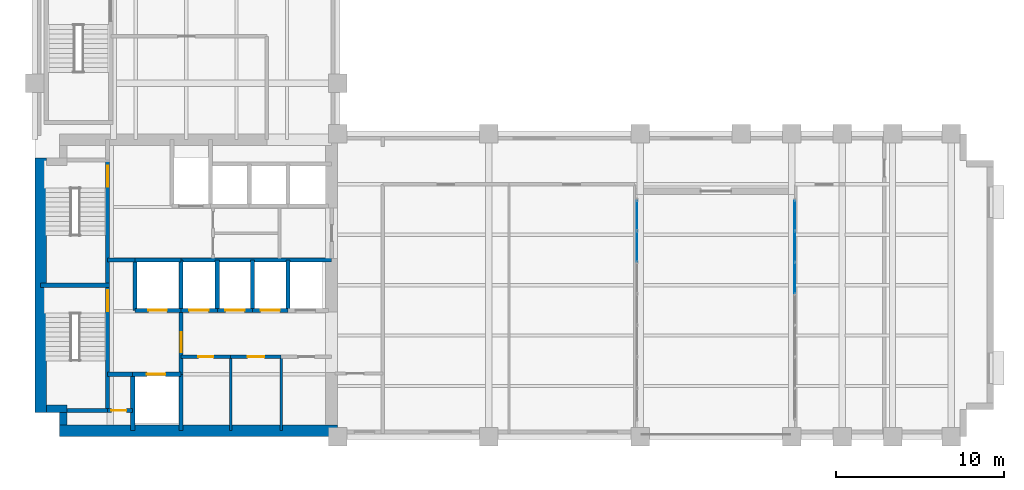
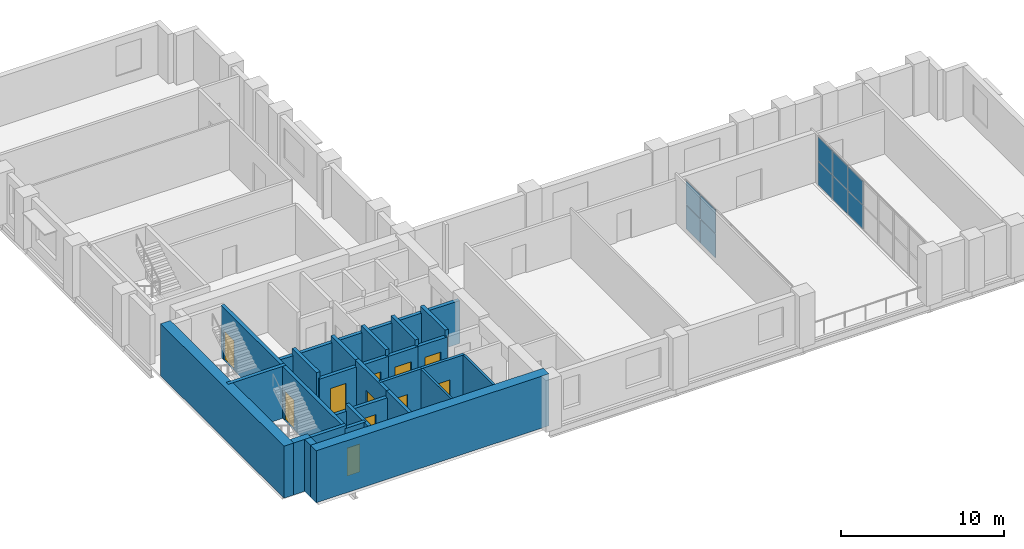
# One storey, part 7 of 12: 30 walls, 11 doors, 10 plates, 11 openings, 2 elements without a shape of their own.
"""IFC4 building model written with IfcOpenShell, lengths in metres."""

from ifc_helpers import new_model, si_unit, direction, frame, frame_2d, origin, origin_2d, place, context, subcontext, project, spatial, rectangle, extrude, material, layer, layer_set, type_object, element, fill, aggregate, save


model = new_model("IFC4")

# Units and contexts
model_context = context("Model", 3, precision=1e-05, world=origin(), true_north=direction((0.0, 1.0)))
body_context = subcontext(model_context, "Body", "Model", "MODEL_VIEW")
ifc_project = project(units=[si_unit("LENGTHUNIT", "METRE"), si_unit("AREAUNIT", "SQUARE_METRE"), si_unit("VOLUMEUNIT", "CUBIC_METRE"), si_unit("PLANEANGLEUNIT", "RADIAN"), si_unit("MASSUNIT", "GRAM", prefix="KILO")], contexts=[model_context])

# Site, building, storey
site_placement = place(None, origin())
site = spatial("IfcSite", under=ifc_project, at=site_placement, CompositionType="ELEMENT")
building_placement = place(site_placement, origin())
building = spatial("IfcBuilding", under=site, at=building_placement, Name="Mawjdan Bourse Tower", CompositionType="ELEMENT")
storey_placement = place(building_placement, frame((0.0, 0.0, 120.60009765625)))
storey = spatial("IfcBuildingStorey", under=building, at=storey_placement, Name="L28", CompositionType="ELEMENT", Elevation=120.60009765625)

# Curtain wall, plates
ifc_material_1 = material(Name="Thermally Broken Aluminium and Solar Glass", Category="aluminium")
ifc_layer_1 = layer(ifc_material_1, 0.219970703125)
ifc_layer_set_1 = layer_set([ifc_layer_1], Name="Thermally Broken Aluminium and Solar Glass")
curtain_wall_type = type_object("IfcCurtainWallType", Name="CW-POR", PredefinedType="USERDEFINED", material=ifc_layer_set_1)
curtain_wall_1_placement = place(storey_placement, origin())
curtain_wall_1 = element("IfcCurtainWall", 1, at=curtain_wall_1_placement, inside=storey, type_object=curtain_wall_type, Name="L28 East Void Portal Glazed Cheek 1", ObjectType="VOID PORTAL CURTAIN WALL", PredefinedType="USERDEFINED")
ifc_material_2 = material(Name="Wind-Rated Portal Clear Glass", Category="glass")
ifc_layer_2 = layer(ifc_material_2, 0.0400390625)
ifc_layer_set_2 = layer_set([ifc_layer_2], Name="Wind-Rated Portal Clear Glass")
plate_type = type_object("IfcPlateType", Name="PNL-CW-POR", PredefinedType="CURTAIN_PANEL", material=ifc_layer_set_2)
plate_1_placement = place(storey_placement, frame((41.81005859375, 14.29296875, 0.054931640625), z_axis=(0.0, 0.0, 1.0), x_axis=(0.0, 1.0, 0.0)))
plate_1 = element("IfcPlate", 2, at=plate_1_placement, type_object=plate_type, Name="CW-POR-L28-POR-E1 panel 6.1", PredefinedType="CURTAIN_PANEL", context=body_context, shape_type="SweptSolid", body=[
    extrude(rectangle(XDim=1.801513671875, YDim=0.0400390625, at=origin_2d()), origin(), (0.0, 0.0, 1.0), 1.767578125),
])
plate_2_placement = place(storey_placement, frame((41.81005859375, 14.29296875, 1.87744140625), z_axis=(0.0, 0.0, 1.0), x_axis=(0.0, 1.0, 0.0)))
plate_2 = element("IfcPlate", 3, at=plate_2_placement, type_object=plate_type, Name="CW-POR-L28-POR-E1 panel 6.2", PredefinedType="CURTAIN_PANEL", context=body_context, shape_type="SweptSolid", body=[
    extrude(rectangle(XDim=1.801513671875, YDim=0.0400390625, at=origin_2d()), origin(), (0.0, 0.0, 1.0), 1.767578125),
])
plate_3_placement = place(storey_placement, frame((41.81005859375, 16.146728515625, 0.054931640625), z_axis=(0.0, 0.0, 1.0), x_axis=(0.0, 1.0, 0.0)))
plate_3 = element("IfcPlate", 4, at=plate_3_placement, type_object=plate_type, Name="CW-POR-L28-POR-E1 panel 7.1", PredefinedType="CURTAIN_PANEL", context=body_context, shape_type="SweptSolid", body=[
    extrude(rectangle(XDim=1.766357421875, YDim=0.0400390625, at=origin_2d()), origin(), (0.0, 0.0, 1.0), 1.767578125),
])
plate_4_placement = place(storey_placement, frame((41.81005859375, 16.146728515625, 1.87744140625), z_axis=(0.0, 0.0, 1.0), x_axis=(0.0, 1.0, 0.0)))
plate_4 = element("IfcPlate", 5, at=plate_4_placement, type_object=plate_type, Name="CW-POR-L28-POR-E1 panel 7.2", PredefinedType="CURTAIN_PANEL", context=body_context, shape_type="SweptSolid", body=[
    extrude(rectangle(XDim=1.766357421875, YDim=0.0400390625, at=origin_2d()), origin(), (0.0, 0.0, 1.0), 1.767578125),
])
aggregate(curtain_wall_1, [plate_1, plate_2, plate_3, plate_4])

curtain_wall_2_placement = place(storey_placement, origin())
curtain_wall_2 = element("IfcCurtainWall", 6, at=curtain_wall_2_placement, inside=storey, type_object=curtain_wall_type, Name="L28 East Void Portal Glazed Cheek 3", ObjectType="VOID PORTAL CURTAIN WALL", PredefinedType="USERDEFINED")
plate_5_placement = place(storey_placement, frame((51.18994140625, 16.146728515625, 0.054931640625), z_axis=(0.0, 0.0, 1.0), x_axis=(0.0, -1.0, 0.0)))
plate_5 = element("IfcPlate", 7, at=plate_5_placement, type_object=plate_type, Name="CW-POR-L28-POR-E3 panel 1.1", PredefinedType="CURTAIN_PANEL", context=body_context, shape_type="SweptSolid", body=[
    extrude(rectangle(XDim=1.766357421875, YDim=0.0400390625, at=origin_2d()), origin(), (0.0, 0.0, 1.0), 1.767578125),
])
plate_6_placement = place(storey_placement, frame((51.18994140625, 16.146728515625, 1.87744140625), z_axis=(0.0, 0.0, 1.0), x_axis=(0.0, -1.0, 0.0)))
plate_6 = element("IfcPlate", 8, at=plate_6_placement, type_object=plate_type, Name="CW-POR-L28-POR-E3 panel 1.2", PredefinedType="CURTAIN_PANEL", context=body_context, shape_type="SweptSolid", body=[
    extrude(rectangle(XDim=1.766357421875, YDim=0.0400390625, at=origin_2d()), origin(), (0.0, 0.0, 1.0), 1.767578125),
])
plate_7_placement = place(storey_placement, frame((51.18994140625, 14.29296875, 0.054931640625), z_axis=(0.0, 0.0, 1.0), x_axis=(0.0, -1.0, 0.0)))
plate_7 = element("IfcPlate", 9, at=plate_7_placement, type_object=plate_type, Name="CW-POR-L28-POR-E3 panel 2.1", PredefinedType="CURTAIN_PANEL", context=body_context, shape_type="SweptSolid", body=[
    extrude(rectangle(XDim=1.801513671875, YDim=0.0400390625, at=origin_2d()), origin(), (0.0, 0.0, 1.0), 1.767578125),
])
plate_8_placement = place(storey_placement, frame((51.18994140625, 14.29296875, 1.87744140625), z_axis=(0.0, 0.0, 1.0), x_axis=(0.0, -1.0, 0.0)))
plate_8 = element("IfcPlate", 10, at=plate_8_placement, type_object=plate_type, Name="CW-POR-L28-POR-E3 panel 2.2", PredefinedType="CURTAIN_PANEL", context=body_context, shape_type="SweptSolid", body=[
    extrude(rectangle(XDim=1.801513671875, YDim=0.0400390625, at=origin_2d()), origin(), (0.0, 0.0, 1.0), 1.767578125),
])
plate_9_placement = place(storey_placement, frame((51.18994140625, 12.42138671875, 0.054931640625), z_axis=(0.0, 0.0, 1.0), x_axis=(0.0, -1.0, 0.0)))
plate_9 = element("IfcPlate", 11, at=plate_9_placement, type_object=plate_type, Name="CW-POR-L28-POR-E3 panel 3.1", PredefinedType="CURTAIN_PANEL", context=body_context, shape_type="SweptSolid", body=[
    extrude(rectangle(XDim=1.801513671875, YDim=0.0400390625, at=origin_2d()), origin(), (0.0, 0.0, 1.0), 1.767578125),
])
plate_10_placement = place(storey_placement, frame((51.18994140625, 12.42138671875, 1.87744140625), z_axis=(0.0, 0.0, 1.0), x_axis=(0.0, -1.0, 0.0)))
plate_10 = element("IfcPlate", 12, at=plate_10_placement, type_object=plate_type, Name="CW-POR-L28-POR-E3 panel 3.2", PredefinedType="CURTAIN_PANEL", context=body_context, shape_type="SweptSolid", body=[
    extrude(rectangle(XDim=1.801513671875, YDim=0.0400390625, at=origin_2d()), origin(), (0.0, 0.0, 1.0), 1.767578125),
])
aggregate(curtain_wall_2, [plate_5, plate_6, plate_7, plate_8, plate_9, plate_10])

# Wall, opening, door
ifc_material_3 = material(Name="Gypsum Fireboard Assembly")
ifc_layer_3 = layer(ifc_material_3, 0.199951171875)
ifc_layer_set_3 = layer_set([ifc_layer_3], Name="Gypsum Fireboard Assembly")
wall_type_1 = type_object("IfcWallType", Name="WL-CMP-200", PredefinedType="PARTITIONING", material=ifc_layer_set_3)
wall_1_placement = place(storey_placement, frame((14.699951171875, 7.739990234375, 0.0), z_axis=(0.0, 0.0, 1.0), x_axis=(1.0, 0.0, 0.0)))
wall_1 = element("IfcWall", 13, at=wall_1_placement, inside=storey, type_object=wall_type_1, Name="L28 IT & Telemetry Room North Wall", PredefinedType="PARTITIONING", context=body_context, shape_type="SweptSolid", body=[
    extrude(rectangle(XDim=2.949951171875, YDim=0.199951171875, at=frame_2d((1.47509765625, 0.0))), origin(), (0.0, 0.0, 1.0), 3.68994140625),
])
opening_1_placement = place(wall_1_placement, frame((1.02490234375, 0.0, 0.0)))
opening_1 = element("IfcOpeningElement", 14, at=opening_1_placement, cuts=wall_1, Name="Opening D-L28-10", PredefinedType="OPENING", context=body_context, shape_type="SweptSolid", body=[
    extrude(rectangle(XDim=0.89990234375, YDim=2.10009765625, at=frame_2d((0.449951171875, 1.050048828125))), frame((0.0, 0.10986328125, 0.0), z_axis=(0.0, -1.0, 0.0), x_axis=(1.0, 0.0, 0.0)), (0.0, 0.0, 1.0), 0.219970703125),
])
ifc_material_4 = material(Name="Fire-Rated Steel Access Leaf", Category="steel")
door_type_1 = type_object("IfcDoorType", Name="FD-RSR-0900", OperationType="NOTDEFINED", PredefinedType="TRAPDOOR", material=ifc_material_4)
door_1_placement = place(opening_1_placement, origin())
door_1 = element("IfcDoor", 15, at=door_1_placement, inside=storey, type_object=door_type_1, Name="L28 IT & Telemetry Room Door D-L28-10", OperationType="SINGLE_SWING_LEFT", OverallHeight=2.10009765625, OverallWidth=0.89990234375, PredefinedType="TRAPDOOR", context=body_context, shape_type="SweptSolid", body=[
    extrude(rectangle(XDim=0.89990234375, YDim=2.10009765625, at=frame_2d((0.449951171875, 1.050048828125))), frame((0.0, 0.02490234375, 0.0), z_axis=(0.0, -1.0, 0.0), x_axis=(1.0, 0.0, 0.0)), (0.0, 0.0, 1.0), 0.050048828125),
])
fill(opening_1, door_1)

wall_2_placement = place(storey_placement, frame((17.64990234375, 7.739990234375, 0.0), z_axis=(0.0, 0.0, 1.0), x_axis=(1.0, 0.0, 0.0)))
wall_2 = element("IfcWall", 16, at=wall_2_placement, inside=storey, type_object=wall_type_1, Name="L28 Mail & Courier Office North Wall", PredefinedType="PARTITIONING", context=body_context, shape_type="SweptSolid", body=[
    extrude(rectangle(XDim=3.0, YDim=0.199951171875, at=frame_2d((1.5, 0.0))), origin(), (0.0, 0.0, 1.0), 3.68994140625),
])
opening_2_placement = place(wall_2_placement, frame((1.0, 0.0, 0.0)))
opening_2 = element("IfcOpeningElement", 17, at=opening_2_placement, cuts=wall_2, Name="Opening D-L28-11", PredefinedType="OPENING", context=body_context, shape_type="SweptSolid", body=[
    extrude(rectangle(XDim=1.0, YDim=2.14990234375, at=frame_2d((0.5, 1.074951171875))), frame((0.0, 0.10986328125, 0.0), z_axis=(0.0, -1.0, 0.0), x_axis=(1.0, 0.0, 0.0)), (0.0, 0.0, 1.0), 0.219970703125),
])
ifc_material_5 = material(Name="Hardwood Acoustic Leaf", Category="wood")
door_type_2 = type_object("IfcDoorType", Name="DR-OFC-1000", OperationType="NOTDEFINED", PredefinedType="DOOR", material=ifc_material_5)
door_2_placement = place(opening_2_placement, origin())
door_2 = element("IfcDoor", 18, at=door_2_placement, inside=storey, type_object=door_type_2, Name="L28 Mail & Courier Office Door D-L28-11", OperationType="SINGLE_SWING_RIGHT", OverallHeight=2.14990234375, OverallWidth=1.0, PredefinedType="DOOR", context=body_context, shape_type="SweptSolid", body=[
    extrude(rectangle(XDim=1.0, YDim=2.14990234375, at=frame_2d((0.5, 1.074951171875))), frame((0.0, 0.02490234375, 0.0), z_axis=(0.0, -1.0, 0.0), x_axis=(1.0, 0.0, 0.0)), (0.0, 0.0, 1.0), 0.050048828125),
])
fill(opening_2, door_2)

# Walls
ifc_material_6 = material(Name="Concrete C60/75", Category="concrete")
ifc_layer_4 = layer(ifc_material_6, 0.449951171875)
ifc_layer_set_4 = layer_set([ifc_layer_4], Name="Concrete C60/75")
wall_type_2 = type_object("IfcWallType", Name="WL-CORE-450", PredefinedType="SHEAR", material=ifc_layer_set_4)
wall_3_placement = place(storey_placement, frame((6.699951171875, 4.64990234375, 0.0), z_axis=(0.0, 0.0, 1.0), x_axis=(1.0, 0.0, 0.0)))
element("IfcWall", 19, at=wall_3_placement, inside=storey, type_object=wall_type_2, Name="L28 Rear Core Shear Wall SW-X", PredefinedType="SHEAR", context=body_context, shape_type="SweptSolid", body=[
    extrude(rectangle(XDim=1.22509765625, YDim=0.449951171875, at=frame_2d((0.612548828125, 0.0))), origin(), (0.0, 0.0, 1.0), 3.89990234375),
])
wall_4_placement = place(storey_placement, frame((7.699951171875, 3.699951171875, 0.0), z_axis=(0.0, 0.0, 1.0), x_axis=(0.0, 1.0, 0.0)))
element("IfcWall", 20, at=wall_4_placement, inside=storey, type_object=wall_type_2, Name="L28 Rear Core Shear Wall SW-Y", PredefinedType="SHEAR", context=body_context, shape_type="SweptSolid", body=[
    extrude(rectangle(XDim=0.72509765625, YDim=0.449951171875, at=frame_2d((0.362548828125, 0.0))), origin(), (0.0, 0.0, 1.0), 3.89990234375),
])
ifc_material_7 = material(Name="Concrete C70/85", Category="concrete")
ifc_layer_5 = layer(ifc_material_7, 0.699951171875)
ifc_layer_set_5 = layer_set([ifc_layer_5], Name="Concrete C70/85")
wall_type_3 = type_object("IfcWallType", Name="WL-CORE-700", PredefinedType="SHEAR", material=ifc_layer_set_5)
wall_5_placement = place(storey_placement, frame((7.47509765625, 3.35009765625, 0.0), z_axis=(0.0, 0.0, 1.0), x_axis=(1.0, 0.0, 0.0)))
element("IfcWall", 21, at=wall_5_placement, inside=storey, type_object=wall_type_3, Name="L28 Rear Core Shear Wall S", PredefinedType="SHEAR", context=body_context, shape_type="SweptSolid", body=[
    extrude(rectangle(XDim=16.52490234375, YDim=0.699951171875, at=frame_2d((8.262451171875, 0.0))), origin(), (0.0, 0.0, 1.0), 3.89990234375),
])
wall_6_placement = place(storey_placement, frame((6.35009765625, 4.425048828125, 0.0), z_axis=(0.0, 0.0, 1.0), x_axis=(0.0, 1.0, 0.0)))
element("IfcWall", 22, at=wall_6_placement, inside=storey, type_object=wall_type_3, Name="L28 Rear Core Shear Wall W", PredefinedType="SHEAR", context=body_context, shape_type="SweptSolid", body=[
    extrude(rectangle(XDim=15.14990234375, YDim=0.699951171875, at=frame_2d((7.574951171875, 0.0))), origin(), (0.0, 0.0, 1.0), 3.89990234375),
])
ifc_material_8 = material(Name="Gypsum Acoustic Partition")
ifc_layer_6 = layer(ifc_material_8, 0.14990234375)
ifc_layer_set_6 = layer_set([ifc_layer_6], Name="Gypsum Acoustic Partition")
wall_type_4 = type_object("IfcWallType", Name="WL-PRT-150", PredefinedType="PARTITIONING", material=ifc_layer_set_6)
for number, where, z_axis, x_axis, name in (
    (23, (17.64990234375, 3.35009765625, 0.0), (0.0, 0.0, 1.0), (0.0, 1.0, 0.0), "L28 Mail & Courier Office Core Split Wall"),
    (24, (20.64990234375, 3.35009765625, 0.0), (0.0, 0.0, 1.0), (0.0, 1.0, 0.0), "L28 Staff Refreshment Pantry Core Split Wall"),
):
    element("IfcWall", number, at=place(storey_placement, frame(where, z_axis=z_axis, x_axis=x_axis)), inside=storey, type_object=wall_type_4, Name=name, PredefinedType="PARTITIONING", context=body_context, shape_type="SweptSolid", body=[
        extrude(rectangle(XDim=4.389892578125, YDim=0.14990234375, at=frame_2d((2.19482421875, 0.0))), origin(), (0.0, 0.0, 1.0), 3.68994140625),
    ])

# Wall, opening, door
ifc_material_9 = material(Name="Concrete C50/60", Category="concrete")
ifc_layer_7 = layer(ifc_material_9, 0.25)
ifc_layer_set_7 = layer_set([ifc_layer_7], Name="Concrete C50/60")
wall_type_5 = type_object("IfcWallType", Name="WL-SHFT-250", PredefinedType="PARTITIONING", material=ifc_layer_set_7)
wall_7_placement = place(storey_placement, frame((10.330078125, 4.550048828125, 0.0), z_axis=(0.0, 0.0, 1.0), x_axis=(1.0, 0.0, 0.0)))
wall_7 = element("IfcWall", 25, at=wall_7_placement, inside=storey, type_object=wall_type_5, Name="L28 SW Riser North Wall", PredefinedType="PARTITIONING", context=body_context, shape_type="SweptSolid", body=[
    extrude(rectangle(XDim=1.489990234375, YDim=0.25, at=frame_2d((0.7451171875, 0.0))), origin(), (0.0, 0.0, 1.0), 3.68994140625),
])
opening_3_placement = place(wall_7_placement, frame((0.219970703125, 0.0, 0.0)))
opening_3 = element("IfcOpeningElement", 26, at=opening_3_placement, cuts=wall_7, Name="Opening RD-L28-03", PredefinedType="OPENING", context=body_context, shape_type="SweptSolid", body=[
    extrude(rectangle(XDim=0.89990234375, YDim=2.10009765625, at=frame_2d((0.449951171875, 1.050048828125))), frame((0.0, 0.135009765625, 0.0), z_axis=(0.0, -1.0, 0.0), x_axis=(1.0, 0.0, 0.0)), (0.0, 0.0, 1.0), 0.27001953125),
])
door_3_placement = place(opening_3_placement, origin())
door_3 = element("IfcDoor", 27, at=door_3_placement, inside=storey, type_object=door_type_1, Name="L28 Electrical Riser Access Door RD-L28-03", OperationType="SINGLE_SWING_LEFT", OverallHeight=2.10009765625, OverallWidth=0.89990234375, PredefinedType="TRAPDOOR", context=body_context, shape_type="SweptSolid", body=[
    extrude(rectangle(XDim=0.89990234375, YDim=2.10009765625, at=frame_2d((0.449951171875, 1.050048828125))), frame((0.0, 0.02490234375, 0.0), z_axis=(0.0, -1.0, 0.0), x_axis=(1.0, 0.0, 0.0)), (0.0, 0.0, 1.0), 0.050048828125),
])
fill(opening_3, door_3)

# Wall
wall_8_placement = place(storey_placement, frame((11.820068359375, 3.35009765625, 0.0), z_axis=(0.0, 0.0, 1.0), x_axis=(0.0, 1.0, 0.0)))
element("IfcWall", 28, at=wall_8_placement, inside=storey, type_object=wall_type_5, Name="L28 SW Riser & FFL01 West Wall", PredefinedType="PARTITIONING", context=body_context, shape_type="SweptSolid", body=[
    extrude(rectangle(XDim=3.349853515625, YDim=0.25, at=frame_2d((1.6748046875, 0.0))), origin(), (0.0, 0.0, 1.0), 3.68994140625),
])

# Wall, opening, door
wall_9_placement = place(storey_placement, frame((11.820068359375, 6.699951171875, 0.0), z_axis=(0.0, 0.0, 1.0), x_axis=(1.0, 0.0, 0.0)))
wall_9 = element("IfcWall", 29, at=wall_9_placement, inside=storey, type_object=wall_type_5, Name="L28 FFL-01 Front Shaft Wall", PredefinedType="PARTITIONING", context=body_context, shape_type="SweptSolid", body=[
    extrude(rectangle(XDim=2.8798828125, YDim=0.25, at=frame_2d((1.43994140625, 0.0))), origin(), (0.0, 0.0, 1.0), 3.226806640625),
])
opening_4_placement = place(wall_9_placement, frame((0.85009765625, 0.0, 0.0)))
opening_4 = element("IfcOpeningElement", 30, at=opening_4_placement, cuts=wall_9, Name="Opening LD-L28-05", PredefinedType="OPENING", context=body_context, shape_type="SweptSolid", body=[
    extrude(rectangle(XDim=1.10009765625, YDim=2.25, at=frame_2d((0.550048828125, 1.125))), frame((0.0, 0.135009765625, 0.0), z_axis=(0.0, -1.0, 0.0), x_axis=(1.0, 0.0, 0.0)), (0.0, 0.0, 1.0), 0.27001953125),
])
ifc_material_10 = material(Name="Brushed Stainless Steel", Category="steel")
door_type_3 = type_object("IfcDoorType", Name="LD-FFL-1100", OperationType="DOUBLE_DOOR_SLIDING", PredefinedType="DOOR", material=ifc_material_10)
door_4_placement = place(opening_4_placement, origin())
door_4 = element("IfcDoor", 31, at=door_4_placement, inside=storey, type_object=door_type_3, Name="L28 Firefighting Lift FFL-01 Landing Door LD-L28-05", OperationType="DOUBLE_DOOR_SLIDING", OverallHeight=2.25, OverallWidth=1.10009765625, PredefinedType="DOOR", context=body_context, shape_type="SweptSolid", body=[
    extrude(rectangle(XDim=1.10009765625, YDim=2.25, at=frame_2d((0.550048828125, 1.125))), frame((0.0, 0.02490234375, 0.0), z_axis=(0.0, -1.0, 0.0), x_axis=(1.0, 0.0, 0.0)), (0.0, 0.0, 1.0), 0.050048828125),
])
fill(opening_4, door_4)

# Wall
wall_10_placement = place(storey_placement, frame((14.699951171875, 3.35009765625, 0.0), z_axis=(0.0, 0.0, 1.0), x_axis=(0.0, 1.0, 0.0)))
element("IfcWall", 32, at=wall_10_placement, inside=storey, type_object=wall_type_5, Name="L28 FFL-01 East Shaft Wall", PredefinedType="PARTITIONING", context=body_context, shape_type="SweptSolid", body=[
    extrude(rectangle(XDim=3.349853515625, YDim=0.25, at=frame_2d((1.6748046875, 0.0))), origin(), (0.0, 0.0, 1.0), 3.68994140625),
])

# Wall, opening, door
wall_11_placement = place(storey_placement, frame((11.949951171875, 10.5, 0.0), z_axis=(0.0, 0.0, 1.0), x_axis=(1.0, 0.0, 0.0)))
wall_11 = element("IfcWall", 33, at=wall_11_placement, inside=storey, type_object=wall_type_5, Name="L28 FFL-02 Front Shaft Wall", PredefinedType="PARTITIONING", context=body_context, shape_type="SweptSolid", body=[
    extrude(rectangle(XDim=2.75, YDim=0.25, at=frame_2d((1.375, 0.0))), origin(), (0.0, 0.0, 1.0), 3.226806640625),
])
opening_5_placement = place(wall_11_placement, frame((0.800048828125, 0.0, 0.0)))
opening_5 = element("IfcOpeningElement", 34, at=opening_5_placement, cuts=wall_11, Name="Opening LD-L28-06", PredefinedType="OPENING", context=body_context, shape_type="SweptSolid", body=[
    extrude(rectangle(XDim=1.10009765625, YDim=2.25, at=frame_2d((0.550048828125, 1.125))), frame((0.0, 0.135009765625, 0.0), z_axis=(0.0, -1.0, 0.0), x_axis=(1.0, 0.0, 0.0)), (0.0, 0.0, 1.0), 0.27001953125),
])
door_5_placement = place(opening_5_placement, origin())
door_5 = element("IfcDoor", 35, at=door_5_placement, inside=storey, type_object=door_type_3, Name="L28 Firefighting Lift FFL-02 Landing Door LD-L28-06", OperationType="DOUBLE_DOOR_SLIDING", OverallHeight=2.25, OverallWidth=1.10009765625, PredefinedType="DOOR", context=body_context, shape_type="SweptSolid", body=[
    extrude(rectangle(XDim=1.10009765625, YDim=2.25, at=frame_2d((0.550048828125, 1.125))), frame((0.0, 0.02490234375, 0.0), z_axis=(0.0, -1.0, 0.0), x_axis=(1.0, 0.0, 0.0)), (0.0, 0.0, 1.0), 0.050048828125),
])
fill(opening_5, door_5)

# Walls
wall_12_placement = place(storey_placement, frame((11.949951171875, 10.5, 0.0), z_axis=(0.0, 0.0, 1.0), x_axis=(0.0, 1.0, 0.0)))
element("IfcWall", 36, at=wall_12_placement, inside=storey, type_object=wall_type_5, Name="L28 FFL-02 West Shaft Wall", PredefinedType="PARTITIONING", context=body_context, shape_type="SweptSolid", body=[
    extrude(rectangle(XDim=3.0, YDim=0.25, at=frame_2d((1.5, 0.0))), origin(), (0.0, 0.0, 1.0), 3.68994140625),
])
wall_13_placement = place(storey_placement, frame((11.949951171875, 13.5, 0.0), z_axis=(0.0, 0.0, 1.0), x_axis=(1.0, 0.0, 0.0)))
element("IfcWall", 37, at=wall_13_placement, inside=storey, type_object=wall_type_5, Name="L28 FFL-02 North Shaft Wall", PredefinedType="PARTITIONING", context=body_context, shape_type="SweptSolid", body=[
    extrude(rectangle(XDim=2.75, YDim=0.25, at=frame_2d((1.375, 0.0))), origin(), (0.0, 0.0, 1.0), 3.226806640625),
])
wall_14_placement = place(storey_placement, frame((14.699951171875, 10.5, 0.0), z_axis=(0.0, 0.0, 1.0), x_axis=(0.0, 1.0, 0.0)))
element("IfcWall", 38, at=wall_14_placement, inside=storey, type_object=wall_type_5, Name="L28 FFL-02 East Shaft Wall", PredefinedType="PARTITIONING", context=body_context, shape_type="SweptSolid", body=[
    extrude(rectangle(XDim=3.0, YDim=0.25, at=frame_2d((1.5, 0.0))), origin(), (0.0, 0.0, 1.0), 3.68994140625),
])

# Wall, opening, door
wall_15_placement = place(storey_placement, frame((14.699951171875, 6.699951171875, 0.0), z_axis=(0.0, 0.0, 1.0), x_axis=(0.0, 1.0, 0.0)))
wall_15 = element("IfcWall", 39, at=wall_15_placement, inside=storey, type_object=wall_type_5, Name="L28 Firefighting Lobby East Compartment Wall", PredefinedType="PARTITIONING", context=body_context, shape_type="SweptSolid", body=[
    extrude(rectangle(XDim=3.800048828125, YDim=0.25, at=frame_2d((1.89990234375, 0.0))), origin(), (0.0, 0.0, 1.0), 3.68994140625),
])
opening_6_placement = place(wall_15_placement, frame((1.300048828125, 0.0, 0.0)))
opening_6 = element("IfcOpeningElement", 40, at=opening_6_placement, cuts=wall_15, Name="Opening FD-L28-07", PredefinedType="OPENING", context=body_context, shape_type="SweptSolid", body=[
    extrude(rectangle(XDim=1.199951171875, YDim=2.199951171875, at=frame_2d((0.60009765625, 1.10009765625))), frame((0.0, 0.135009765625, 0.0), z_axis=(0.0, -1.0, 0.0), x_axis=(1.0, 0.0, 0.0)), (0.0, 0.0, 1.0), 0.27001953125),
])
ifc_material_11 = material(Name="Fire-Rated Steel Leaf", Category="steel")
door_type_4 = type_object("IfcDoorType", Name="FD-FFL-1200", OperationType="NOTDEFINED", PredefinedType="DOOR", material=ifc_material_11)
door_6_placement = place(opening_6_placement, origin())
door_6 = element("IfcDoor", 41, at=door_6_placement, inside=storey, type_object=door_type_4, Name="L28 Firefighting Lobby East Smoke Door FD-L28-07", OperationType="SINGLE_SWING_LEFT", OverallHeight=2.199951171875, OverallWidth=1.199951171875, PredefinedType="DOOR", context=body_context, shape_type="SweptSolid", body=[
    extrude(rectangle(XDim=1.199951171875, YDim=2.199951171875, at=frame_2d((0.60009765625, 1.10009765625))), frame((0.0, 0.02490234375, 0.0), z_axis=(0.0, -1.0, 0.0), x_axis=(1.0, 0.0, 0.0)), (0.0, 0.0, 1.0), 0.050048828125),
])
fill(opening_6, door_6)

# Walls
wall_16_placement = place(storey_placement, frame((10.330078125, 13.5, 0.0), z_axis=(0.0, 0.0, 1.0), x_axis=(1.0, 0.0, 0.0)))
element("IfcWall", 42, at=wall_16_placement, inside=storey, type_object=wall_type_5, Name="L28 Firefighting Lobby North Compartment Wall", PredefinedType="PARTITIONING", context=body_context, shape_type="SweptSolid", body=[
    extrude(rectangle(XDim=1.619873046875, YDim=0.25, at=frame_2d((0.81005859375, 0.0))), origin(), (0.0, 0.0, 1.0), 3.226806640625),
])
wall_17_placement = place(storey_placement, frame((10.330078125, 6.699951171875, 0.0), z_axis=(0.0, 0.0, 1.0), x_axis=(1.0, 0.0, 0.0)))
element("IfcWall", 43, at=wall_17_placement, inside=storey, type_object=wall_type_5, Name="L28 Firefighting Lobby South Closure Wall", PredefinedType="PARTITIONING", context=body_context, shape_type="SweptSolid", body=[
    extrude(rectangle(XDim=1.489990234375, YDim=0.25, at=frame_2d((0.7451171875, 0.0))), origin(), (0.0, 0.0, 1.0), 3.226806640625),
])

# Wall, opening, door
wall_18_placement = place(storey_placement, frame((14.699951171875, 10.5, 0.0), z_axis=(0.0, 0.0, 1.0), x_axis=(1.0, 0.0, 0.0)))
wall_18 = element("IfcWall", 44, at=wall_18_placement, inside=storey, type_object=wall_type_5, Name="L28 PM-01 Front Wall", PredefinedType="PARTITIONING", context=body_context, shape_type="SweptSolid", body=[
    extrude(rectangle(XDim=2.150146484375, YDim=0.25, at=frame_2d((1.0751953125, 0.0))), origin(), (0.0, 0.0, 1.0), 3.226806640625),
])
opening_7_placement = place(wall_18_placement, frame((0.47998046875, 0.0, 0.0)))
opening_7 = element("IfcOpeningElement", 45, at=opening_7_placement, cuts=wall_18, Name="Opening LD-L28-13", PredefinedType="OPENING", context=body_context, shape_type="SweptSolid", body=[
    extrude(rectangle(XDim=1.14990234375, YDim=2.25, at=frame_2d((0.574951171875, 1.125))), frame((0.0, 0.135009765625, 0.0), z_axis=(0.0, -1.0, 0.0), x_axis=(1.0, 0.0, 0.0)), (0.0, 0.0, 1.0), 0.27001953125),
])
door_type_5 = type_object("IfcDoorType", Name="LD-PAS-1150", OperationType="DOUBLE_DOOR_SLIDING", PredefinedType="DOOR", material=ifc_material_10)
door_7_placement = place(opening_7_placement, origin())
door_7 = element("IfcDoor", 46, at=door_7_placement, inside=storey, type_object=door_type_5, Name="L28 Lift PM-01 Landing Door LD-L28-13", OperationType="DOUBLE_DOOR_SLIDING", OverallHeight=2.25, OverallWidth=1.14990234375, PredefinedType="DOOR", context=body_context, shape_type="SweptSolid", body=[
    extrude(rectangle(XDim=1.14990234375, YDim=2.25, at=frame_2d((0.574951171875, 1.125))), frame((0.0, 0.02490234375, 0.0), z_axis=(0.0, -1.0, 0.0), x_axis=(1.0, 0.0, 0.0)), (0.0, 0.0, 1.0), 0.050048828125),
])
fill(opening_7, door_7)

# Wall
wall_19_placement = place(storey_placement, frame((16.85009765625, 10.5, 0.0), z_axis=(0.0, 0.0, 1.0), x_axis=(0.0, 1.0, 0.0)))
element("IfcWall", 47, at=wall_19_placement, inside=storey, type_object=wall_type_5, Name="L28 PM-01 Divider Wall", PredefinedType="PARTITIONING", context=body_context, shape_type="SweptSolid", body=[
    extrude(rectangle(XDim=3.0, YDim=0.25, at=frame_2d((1.5, 0.0))), origin(), (0.0, 0.0, 1.0), 3.68994140625),
])

# Wall, opening, door
wall_20_placement = place(storey_placement, frame((16.85009765625, 10.5, 0.0), z_axis=(0.0, 0.0, 1.0), x_axis=(1.0, 0.0, 0.0)))
wall_20 = element("IfcWall", 48, at=wall_20_placement, inside=storey, type_object=wall_type_5, Name="L28 PM-02 Front Wall", PredefinedType="PARTITIONING", context=body_context, shape_type="SweptSolid", body=[
    extrude(rectangle(XDim=2.099853515625, YDim=0.25, at=frame_2d((1.0498046875, 0.0))), origin(), (0.0, 0.0, 1.0), 3.226806640625),
])
opening_8_placement = place(wall_20_placement, frame((0.47998046875, 0.0, 0.0)))
opening_8 = element("IfcOpeningElement", 49, at=opening_8_placement, cuts=wall_20, Name="Opening LD-L28-14", PredefinedType="OPENING", context=body_context, shape_type="SweptSolid", body=[
    extrude(rectangle(XDim=1.14990234375, YDim=2.25, at=frame_2d((0.574951171875, 1.125))), frame((0.0, 0.135009765625, 0.0), z_axis=(0.0, -1.0, 0.0), x_axis=(1.0, 0.0, 0.0)), (0.0, 0.0, 1.0), 0.27001953125),
])
door_8_placement = place(opening_8_placement, origin())
door_8 = element("IfcDoor", 50, at=door_8_placement, inside=storey, type_object=door_type_5, Name="L28 Lift PM-02 Landing Door LD-L28-14", OperationType="DOUBLE_DOOR_SLIDING", OverallHeight=2.25, OverallWidth=1.14990234375, PredefinedType="DOOR", context=body_context, shape_type="SweptSolid", body=[
    extrude(rectangle(XDim=1.14990234375, YDim=2.25, at=frame_2d((0.574951171875, 1.125))), frame((0.0, 0.02490234375, 0.0), z_axis=(0.0, -1.0, 0.0), x_axis=(1.0, 0.0, 0.0)), (0.0, 0.0, 1.0), 0.050048828125),
])
fill(opening_8, door_8)

# Wall
wall_21_placement = place(storey_placement, frame((18.949951171875, 10.5, 0.0), z_axis=(0.0, 0.0, 1.0), x_axis=(0.0, 1.0, 0.0)))
element("IfcWall", 51, at=wall_21_placement, inside=storey, type_object=wall_type_5, Name="L28 PM-02 Divider Wall", PredefinedType="PARTITIONING", context=body_context, shape_type="SweptSolid", body=[
    extrude(rectangle(XDim=3.0, YDim=0.25, at=frame_2d((1.5, 0.0))), origin(), (0.0, 0.0, 1.0), 3.68994140625),
])

# Wall, opening, door
wall_22_placement = place(storey_placement, frame((18.949951171875, 10.5, 0.0), z_axis=(0.0, 0.0, 1.0), x_axis=(1.0, 0.0, 0.0)))
wall_22 = element("IfcWall", 52, at=wall_22_placement, inside=storey, type_object=wall_type_5, Name="L28 PM-03 Front Wall", PredefinedType="PARTITIONING", context=body_context, shape_type="SweptSolid", body=[
    extrude(rectangle(XDim=2.10009765625, YDim=0.25, at=frame_2d((1.050048828125, 0.0))), origin(), (0.0, 0.0, 1.0), 3.226806640625),
])
opening_9_placement = place(wall_22_placement, frame((0.47998046875, 0.0, 0.0)))
opening_9 = element("IfcOpeningElement", 53, at=opening_9_placement, cuts=wall_22, Name="Opening LD-L28-15", PredefinedType="OPENING", context=body_context, shape_type="SweptSolid", body=[
    extrude(rectangle(XDim=1.14990234375, YDim=2.25, at=frame_2d((0.574951171875, 1.125))), frame((0.0, 0.135009765625, 0.0), z_axis=(0.0, -1.0, 0.0), x_axis=(1.0, 0.0, 0.0)), (0.0, 0.0, 1.0), 0.27001953125),
])
door_9_placement = place(opening_9_placement, origin())
door_9 = element("IfcDoor", 54, at=door_9_placement, inside=storey, type_object=door_type_5, Name="L28 Lift PM-03 Landing Door LD-L28-15", OperationType="DOUBLE_DOOR_SLIDING", OverallHeight=2.25, OverallWidth=1.14990234375, PredefinedType="DOOR", context=body_context, shape_type="SweptSolid", body=[
    extrude(rectangle(XDim=1.14990234375, YDim=2.25, at=frame_2d((0.574951171875, 1.125))), frame((0.0, 0.02490234375, 0.0), z_axis=(0.0, -1.0, 0.0), x_axis=(1.0, 0.0, 0.0)), (0.0, 0.0, 1.0), 0.050048828125),
])
fill(opening_9, door_9)

# Walls
wall_23_placement = place(storey_placement, frame((21.050048828125, 10.5, 0.0), z_axis=(0.0, 0.0, 1.0), x_axis=(0.0, 1.0, 0.0)))
element("IfcWall", 55, at=wall_23_placement, inside=storey, type_object=wall_type_5, Name="L28 PM-03 Divider Wall", PredefinedType="PARTITIONING", context=body_context, shape_type="SweptSolid", body=[
    extrude(rectangle(XDim=3.0, YDim=0.25, at=frame_2d((1.5, 0.0))), origin(), (0.0, 0.0, 1.0), 3.68994140625),
])
wall_24_placement = place(storey_placement, frame((14.699951171875, 13.5, 0.0), z_axis=(0.0, 0.0, 1.0), x_axis=(1.0, 0.0, 0.0)))
element("IfcWall", 56, at=wall_24_placement, inside=storey, type_object=wall_type_5, Name="L28 PM Bank North Shaft Back Wall", PredefinedType="PARTITIONING", context=body_context, shape_type="SweptSolid", body=[
    extrude(rectangle(XDim=8.949951171875, YDim=0.25, at=frame_2d((4.47509765625, 0.0))), origin(), (0.0, 0.0, 1.0), 3.226806640625),
])
ifc_layer_8 = layer(ifc_material_9, 0.25)
ifc_layer_set_8 = layer_set([ifc_layer_8], Name="Concrete C50/60")
wall_type_6 = type_object("IfcWallType", Name="WL-STRW-250", PredefinedType="SHEAR", material=ifc_layer_set_8)
wall_25_placement = place(storey_placement, frame((6.35009765625, 12.0, 0.0), z_axis=(0.0, 0.0, 1.0), x_axis=(1.0, 0.0, 0.0)))
element("IfcWall", 57, at=wall_25_placement, inside=storey, type_object=wall_type_6, Name="L28 Stairwell Dividing Shaft Wall", PredefinedType="SHEAR", context=body_context, shape_type="SweptSolid", body=[
    extrude(rectangle(XDim=4.10498046875, YDim=0.25, at=frame_2d((2.052490234375, 0.0))), origin(), (0.0, 0.0, 1.0), 3.89990234375),
])
wall_26_placement = place(storey_placement, frame((7.699951171875, 4.550048828125, 0.0), z_axis=(0.0, 0.0, 1.0), x_axis=(1.0, 0.0, 0.0)))
element("IfcWall", 58, at=wall_26_placement, inside=storey, type_object=wall_type_6, Name="L28 Stairwell ST1 South Shaft Wall", PredefinedType="SHEAR", context=body_context, shape_type="SweptSolid", body=[
    extrude(rectangle(XDim=2.755126953125, YDim=0.25, at=frame_2d((1.37744140625, 0.0))), origin(), (0.0, 0.0, 1.0), 3.89990234375),
])

# Wall, opening, door
wall_27_placement = place(storey_placement, frame((10.330078125, 4.550048828125, 0.0), z_axis=(0.0, 0.0, 1.0), x_axis=(0.0, 1.0, 0.0)))
wall_27 = element("IfcWall", 59, at=wall_27_placement, inside=storey, type_object=wall_type_6, Name="L28 Stairwell ST1 East Enclosure Wall", PredefinedType="SHEAR", context=body_context, shape_type="SweptSolid", body=[
    extrude(rectangle(XDim=7.449951171875, YDim=0.25, at=frame_2d((3.72509765625, 0.0))), origin(), (0.0, 0.0, 1.0), 3.89990234375),
])
opening_10_placement = place(wall_27_placement, frame((5.89990234375, 0.0, 0.0)))
opening_10 = element("IfcOpeningElement", 60, at=opening_10_placement, cuts=wall_27, Name="Opening SD-L28-01", PredefinedType="OPENING", context=body_context, shape_type="SweptSolid", body=[
    extrude(rectangle(XDim=1.25, YDim=2.199951171875, at=frame_2d((0.625, 1.10009765625))), frame((0.0, 0.135009765625, 0.0), z_axis=(0.0, -1.0, 0.0), x_axis=(1.0, 0.0, 0.0)), (0.0, 0.0, 1.0), 0.27001953125),
])
door_type_6 = type_object("IfcDoorType", Name="FD-ST-1250", OperationType="NOTDEFINED", PredefinedType="DOOR", material=ifc_material_11)
door_10_placement = place(opening_10_placement, origin())
door_10 = element("IfcDoor", 61, at=door_10_placement, inside=storey, type_object=door_type_6, Name="L28 Exit Stair ST1 Fire Door SD-L28-01", OperationType="SINGLE_SWING_LEFT", OverallHeight=2.199951171875, OverallWidth=1.25, PredefinedType="DOOR", context=body_context, shape_type="SweptSolid", body=[
    extrude(rectangle(XDim=1.25, YDim=2.199951171875, at=frame_2d((0.625, 1.10009765625))), frame((0.0, 0.02490234375, 0.0), z_axis=(0.0, -1.0, 0.0), x_axis=(1.0, 0.0, 0.0)), (0.0, 0.0, 1.0), 0.050048828125),
])
fill(opening_10, door_10)

wall_28_placement = place(storey_placement, frame((10.330078125, 12.0, 0.0), z_axis=(0.0, 0.0, 1.0), x_axis=(0.0, 1.0, 0.0)))
wall_28 = element("IfcWall", 62, at=wall_28_placement, inside=storey, type_object=wall_type_6, Name="L28 Stairwell ST2 East Enclosure Wall", PredefinedType="SHEAR", context=body_context, shape_type="SweptSolid", body=[
    extrude(rectangle(XDim=7.449951171875, YDim=0.25, at=frame_2d((3.72509765625, 0.0))), origin(), (0.0, 0.0, 1.0), 3.89990234375),
])
opening_11_placement = place(wall_28_placement, frame((5.85009765625, 0.0, 0.0)))
opening_11 = element("IfcOpeningElement", 63, at=opening_11_placement, cuts=wall_28, Name="Opening SD-L28-02", PredefinedType="OPENING", context=body_context, shape_type="SweptSolid", body=[
    extrude(rectangle(XDim=1.25, YDim=2.199951171875, at=frame_2d((0.625, 1.10009765625))), frame((0.0, 0.135009765625, 0.0), z_axis=(0.0, -1.0, 0.0), x_axis=(1.0, 0.0, 0.0)), (0.0, 0.0, 1.0), 0.27001953125),
])
door_11_placement = place(opening_11_placement, origin())
door_11 = element("IfcDoor", 64, at=door_11_placement, inside=storey, type_object=door_type_6, Name="L28 Exit Stair ST2 Fire Door SD-L28-02", OperationType="SINGLE_SWING_RIGHT", OverallHeight=2.199951171875, OverallWidth=1.25, PredefinedType="DOOR", context=body_context, shape_type="SweptSolid", body=[
    extrude(rectangle(XDim=1.25, YDim=2.199951171875, at=frame_2d((0.625, 1.10009765625))), frame((0.0, 0.02490234375, 0.0), z_axis=(0.0, -1.0, 0.0), x_axis=(1.0, 0.0, 0.0)), (0.0, 0.0, 1.0), 0.050048828125),
])
fill(opening_11, door_11)

save(model, "model.ifc")
